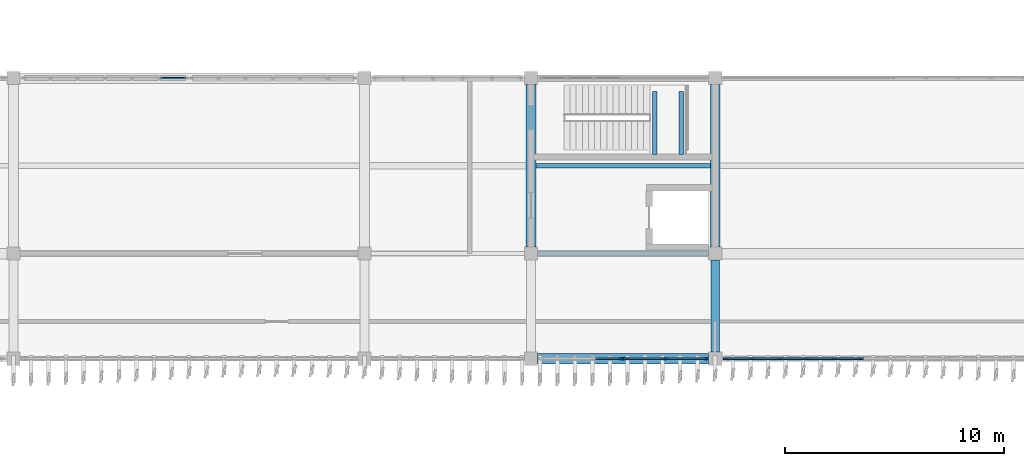
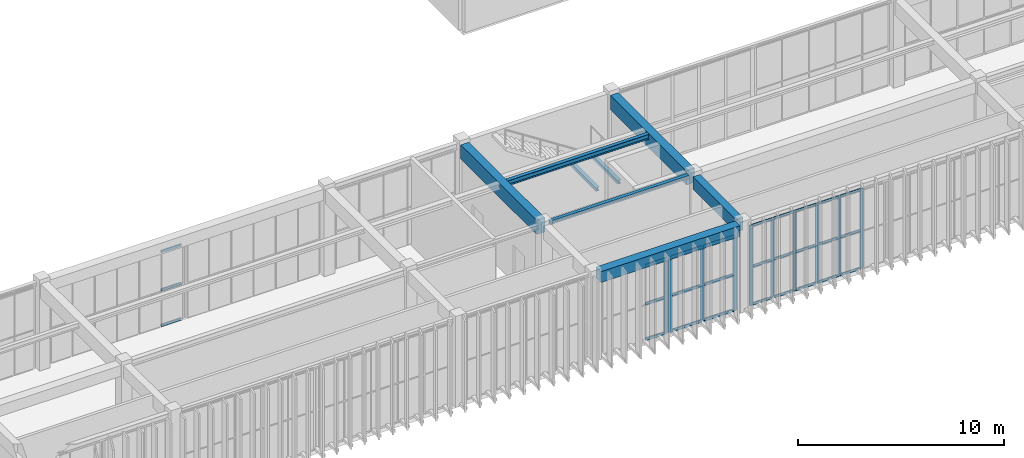
# One storey, part 13 of 64: 37 members, 8 beams, 4 elements without a shape of their own.
"""IFC4 building model written with IfcOpenShell, lengths in metres."""

from ifc_helpers import new_model, si_unit, direction, frame, origin, origin_2d, place, context, subcontext, project, spatial, rectangle, i_section, extrude, material, layer, layer_set, material_profile, profile_set, type_object, element, aggregate, save


model = new_model("IFC4")

# Units and contexts
model_context = context("Model", 3, precision=1e-05, world=origin(), true_north=direction((0.0, 1.0)))
body_context = subcontext(model_context, "Body", "Model", "MODEL_VIEW")
ifc_project = project(units=[si_unit("LENGTHUNIT", "METRE"), si_unit("AREAUNIT", "SQUARE_METRE"), si_unit("VOLUMEUNIT", "CUBIC_METRE"), si_unit("PLANEANGLEUNIT", "RADIAN"), si_unit("MASSUNIT", "GRAM", prefix="KILO")], contexts=[model_context])

# Site, building, storey
site_placement = place(None, origin())
site = spatial("IfcSite", under=ifc_project, at=site_placement, CompositionType="ELEMENT")
building_placement = place(site_placement, origin())
building = spatial("IfcBuilding", under=site, at=building_placement, Name="Cinchona Park Media Centre", CompositionType="ELEMENT")
storey_placement = place(building_placement, frame((0.0, 0.0, 10.199951171875)))
storey = spatial("IfcBuildingStorey", under=building, at=storey_placement, Name="L02", CompositionType="ELEMENT", Elevation=10.199951171875)

# Beams
ifc_material_1 = material(Name="Concrete C35/45", Category="concrete")
ifc_material_profile_1 = material_profile(ifc_material_1, rectangle(XDim=0.39990234375, YDim=0.75, at=origin_2d()), Name="RB 400X750")
ifc_profile_set_1 = profile_set([ifc_material_profile_1], Name="Concrete C35/45")
beam_type_1 = type_object("IfcBeamType", Name="BEAM-B01-RB400X750", PredefinedType="BEAM", material=ifc_profile_set_1)
beam_1_placement = place(storey_placement, frame((94.800048828125, 75.10009765625, 4.78515625), z_axis=(0.0, 1.0, 0.0), x_axis=(-1.0, 0.0, 0.0)))
element("IfcBeam", 1, at=beam_1_placement, inside=storey, type_object=beam_type_1, Name="Girder B01 L02", PredefinedType="BEAM", context=body_context, shape_type="SweptSolid", body=[
    extrude(rectangle(XDim=0.39990234375, YDim=0.75, at=origin_2d()), origin(), (0.0, 0.0, 1.0), 4.199951171875),
])
ifc_material_2 = material(Name="Concrete C35/45", Category="concrete")
ifc_material_profile_2 = material_profile(ifc_material_2, rectangle(XDim=0.449951171875, YDim=0.85009765625, at=origin_2d()), Name="RB 450X850")
ifc_profile_set_2 = profile_set([ifc_material_profile_2], Name="Concrete C35/45")
beam_type_2 = type_object("IfcBeamType", Name="BEAM-B02-RB450X850", PredefinedType="BEAM", material=ifc_profile_set_2)
for number, where, z_axis, x_axis, name in (
    (2, (86.39990234375, 79.89990234375, 4.735107421875), (0.0, 1.0, 0.0), (-1.0, 0.0, 0.0), "Girder B02 L02"),
    (3, (94.800048828125, 79.89990234375, 4.735107421875), (0.0, 1.0, 0.0), (-1.0, 0.0, 0.0), "Girder B02 L02"),
):
    element("IfcBeam", number, at=place(storey_placement, frame(where, z_axis=z_axis, x_axis=x_axis)), inside=storey, type_object=beam_type_2, Name=name, PredefinedType="BEAM", context=body_context, shape_type="SweptSolid", body=[
        extrude(rectangle(XDim=0.449951171875, YDim=0.85009765625, at=origin_2d()), origin(), (0.0, 0.0, 1.0), 7.400146484375),
    ])
ifc_material_3 = material(Name="Concrete C40/50", Category="concrete")
ifc_material_profile_3 = material_profile(ifc_material_3, rectangle(XDim=0.47998046875, YDim=0.64990234375, at=origin_2d()), Name="RB 480X650")
ifc_profile_set_3 = profile_set([ifc_material_profile_3], Name="Concrete C40/50")
beam_type_3 = type_object("IfcBeamType", Name="BEAM-B07-RB480X650", PredefinedType="BEAM", material=ifc_profile_set_3)
beam_2_placement = place(storey_placement, frame((86.699951171875, 74.800048828125, 4.8349609375), z_axis=(1.0, 0.0, 0.0), x_axis=(0.0, 1.0, 0.0)))
element("IfcBeam", 4, at=beam_2_placement, inside=storey, type_object=beam_type_3, Name="Beam B07 L02", PredefinedType="BEAM", context=body_context, shape_type="SweptSolid", body=[
    extrude(rectangle(XDim=0.47998046875, YDim=0.64990234375, at=origin_2d()), origin(), (0.0, 0.0, 1.0), 7.800048828125),
])
ifc_material_4 = material(Name="Steel S355", Category="steel")
ifc_material_profile_4 = material_profile(ifc_material_4, i_section(OverallWidth=0.202880859375, OverallDepth=0.202880859375, WebThickness=0.007080078125, FlangeThickness=0.010986328125, at=origin_2d()), Name="W200X46")
ifc_profile_set_4 = profile_set([ifc_material_profile_4], Name="Steel S355")
beam_type_4 = type_object("IfcBeamType", Name="BEAM-B10-W200X46", PredefinedType="BEAM", material=ifc_profile_set_4)
beam_3_placement = place(storey_placement, frame((86.699951171875, 79.60009765625, 5.05859375), z_axis=(1.0, 0.0, 0.0), x_axis=(0.0, 1.0, 0.0)))
element("IfcBeam", 5, at=beam_3_placement, inside=storey, type_object=beam_type_4, Name="Beam B10 L02", PredefinedType="BEAM", context=body_context, shape_type="SweptSolid", body=[
    extrude(i_section(OverallWidth=0.202880859375, OverallDepth=0.202880859375, WebThickness=0.007080078125, FlangeThickness=0.010986328125, at=origin_2d()), origin(), (0.0, 0.0, 1.0), 7.800048828125),
])
for number, where, z_axis, x_axis, name in (
    (6, (92.0400390625, 84.125, 2.3935546875), (0.0, 1.0, 0.0), (-1.0, 0.0, 0.0), "Stair Landing Bearer Beam B10 ST5 L02"),
    (7, (93.260009765625, 84.125, 2.3935546875), (0.0, 1.0, 0.0), (-1.0, 0.0, 0.0), "Stair Landing Bearer Beam B10 ST5 L02"),
):
    element("IfcBeam", number, at=place(storey_placement, frame(where, z_axis=z_axis, x_axis=x_axis)), inside=storey, type_object=beam_type_4, Name=name, PredefinedType="BEAM", context=body_context, shape_type="SweptSolid", body=[
        extrude(i_section(OverallWidth=0.202880859375, OverallDepth=0.202880859375, WebThickness=0.007080078125, FlangeThickness=0.010986328125, at=origin_2d()), origin(), (0.0, 0.0, 1.0), 2.875),
    ])
ifc_material_5 = material(Name="Steel S355", Category="steel")
ifc_material_profile_5 = material_profile(ifc_material_5, i_section(OverallWidth=0.202880859375, OverallDepth=0.302978515625, WebThickness=0.007568359375, FlangeThickness=0.01318359375, at=origin_2d()), Name="W310X60")
ifc_profile_set_5 = profile_set([ifc_material_profile_5], Name="Steel S355")
beam_type_5 = type_object("IfcBeamType", Name="BEAM-J03-W310X60", PredefinedType="JOIST", material=ifc_profile_set_5)
beam_4_placement = place(storey_placement, frame((86.625, 83.60009765625, 5.008544921875), z_axis=(1.0, 0.0, 0.0), x_axis=(0.0, 1.0, 0.0)))
element("IfcBeam", 8, at=beam_4_placement, inside=storey, type_object=beam_type_5, Name="Floor Joist J03 L02", PredefinedType="JOIST", context=body_context, shape_type="SweptSolid", body=[
    extrude(i_section(OverallWidth=0.202880859375, OverallDepth=0.302978515625, WebThickness=0.007568359375, FlangeThickness=0.01318359375, at=origin_2d()), origin(), (0.0, 0.0, 1.0), 7.949951171875),
])

# Curtain wall, members
ifc_material_6 = material(Name="Aluminium Curtain Wall Framing", Category="aluminium")
ifc_layer_1 = layer(ifc_material_6, 0.2099609375)
ifc_layer_set_1 = layer_set([ifc_layer_1], Name="Aluminium Curtain Wall Framing")
curtain_wall_type_1 = type_object("IfcCurtainWallType", Name="CW-CW03", PredefinedType="USERDEFINED", material=ifc_layer_set_1)
curtain_wall_1_placement = place(storey_placement, origin())
curtain_wall_1 = element("IfcCurtainWall", 9, at=curtain_wall_1_placement, inside=storey, type_object=curtain_wall_type_1, Name="Curtain Wall CW03 L02", ObjectType="UNITISED CURTAIN WALL", PredefinedType="USERDEFINED")
ifc_material_7 = material(Name="Anodised Aluminium Alloy 6063-T6", Category="aluminium")
ifc_material_profile_6 = material_profile(ifc_material_7, rectangle(XDim=0.070068359375, YDim=0.179931640625, at=origin_2d()), Name="MUL-70X180")
ifc_profile_set_6 = profile_set([ifc_material_profile_6], Name="Anodised Aluminium Alloy 6063-T6")
member_type_1 = type_object("IfcMemberType", Name="MULLION-MUL02", PredefinedType="MULLION", material=ifc_profile_set_6)
member_1_placement = place(storey_placement, frame((101.469970703125, 74.800048828125, 0.050048828125), z_axis=(0.0, 0.0, 1.0), x_axis=(0.0, -1.0, 0.0)))
member_1 = element("IfcMember", 10, at=member_1_placement, type_object=member_type_1, Name="CW03 mullion 2", PredefinedType="MULLION", context=body_context, shape_type="SweptSolid", body=[
    extrude(rectangle(XDim=0.070068359375, YDim=0.179931640625, at=origin_2d()), origin(), (0.0, 0.0, 1.0), 4.7470703125),
])
member_2_placement = place(storey_placement, frame((100.219970703125, 74.800048828125, 0.050048828125), z_axis=(0.0, 0.0, 1.0), x_axis=(0.0, -1.0, 0.0)))
member_2 = element("IfcMember", 11, at=member_2_placement, type_object=member_type_1, Name="CW03 mullion 3", PredefinedType="MULLION", context=body_context, shape_type="SweptSolid", body=[
    extrude(rectangle(XDim=0.070068359375, YDim=0.179931640625, at=origin_2d()), origin(), (0.0, 0.0, 1.0), 4.7470703125),
])
member_3_placement = place(storey_placement, frame((98.969970703125, 74.800048828125, 0.050048828125), z_axis=(0.0, 0.0, 1.0), x_axis=(0.0, -1.0, 0.0)))
member_3 = element("IfcMember", 12, at=member_3_placement, type_object=member_type_1, Name="CW03 mullion 4", PredefinedType="MULLION", context=body_context, shape_type="SweptSolid", body=[
    extrude(rectangle(XDim=0.070068359375, YDim=0.179931640625, at=origin_2d()), origin(), (0.0, 0.0, 1.0), 4.7470703125),
])
member_4_placement = place(storey_placement, frame((97.719970703125, 74.800048828125, 0.050048828125), z_axis=(0.0, 0.0, 1.0), x_axis=(0.0, -1.0, 0.0)))
member_4 = element("IfcMember", 13, at=member_4_placement, type_object=member_type_1, Name="CW03 mullion 5", PredefinedType="MULLION", context=body_context, shape_type="SweptSolid", body=[
    extrude(rectangle(XDim=0.070068359375, YDim=0.179931640625, at=origin_2d()), origin(), (0.0, 0.0, 1.0), 4.7470703125),
])
member_5_placement = place(storey_placement, frame((96.469970703125, 74.800048828125, 0.050048828125), z_axis=(0.0, 0.0, 1.0), x_axis=(0.0, -1.0, 0.0)))
member_5 = element("IfcMember", 14, at=member_5_placement, type_object=member_type_1, Name="CW03 mullion 6", PredefinedType="MULLION", context=body_context, shape_type="SweptSolid", body=[
    extrude(rectangle(XDim=0.070068359375, YDim=0.179931640625, at=origin_2d()), origin(), (0.0, 0.0, 1.0), 4.7470703125),
])
member_6_placement = place(storey_placement, frame((95.2548828125, 74.800048828125, 0.050048828125), z_axis=(0.0, 0.0, 1.0), x_axis=(0.0, -1.0, 0.0)))
member_6 = element("IfcMember", 15, at=member_6_placement, type_object=member_type_1, Name="CW03 mullion 7", PredefinedType="MULLION", context=body_context, shape_type="SweptSolid", body=[
    extrude(rectangle(XDim=0.070068359375, YDim=0.179931640625, at=origin_2d()), origin(), (0.0, 0.0, 1.0), 4.7470703125),
])

ifc_material_8 = material(Name="Aluminium Curtain Wall Framing", Category="aluminium")
ifc_layer_2 = layer(ifc_material_8, 0.300048828125)
ifc_layer_set_2 = layer_set([ifc_layer_2], Name="Aluminium Curtain Wall Framing")
curtain_wall_type_2 = type_object("IfcCurtainWallType", Name="CW-CW09", PredefinedType="USERDEFINED", material=ifc_layer_set_2)
curtain_wall_2_placement = place(storey_placement, origin())
curtain_wall_2 = element("IfcCurtainWall", 16, at=curtain_wall_2_placement, inside=storey, type_object=curtain_wall_type_2, Name="Curtain Wall CW09 L02", ObjectType="UNITISED CURTAIN WALL", PredefinedType="USERDEFINED")
ifc_material_9 = material(Name="Anodised Aluminium Alloy 6063-T6", Category="aluminium")
ifc_material_profile_7 = material_profile(ifc_material_9, rectangle(XDim=0.074951171875, YDim=0.2099609375, at=origin_2d()), Name="MUL-75X210")
ifc_profile_set_7 = profile_set([ifc_material_profile_7], Name="Anodised Aluminium Alloy 6063-T6")
member_type_2 = type_object("IfcMemberType", Name="MULLION-MUL03", PredefinedType="MULLION", material=ifc_profile_set_7)
member_7_placement = place(storey_placement, frame((94.342529296875, 74.800048828125, 0.050048828125), z_axis=(0.0, 0.0, 1.0), x_axis=(0.0, -1.0, 0.0)))
member_7 = element("IfcMember", 17, at=member_7_placement, type_object=member_type_2, Name="CW09 mullion 1", PredefinedType="MULLION", context=body_context, shape_type="SweptSolid", body=[
    extrude(rectangle(XDim=0.074951171875, YDim=0.2099609375, at=origin_2d()), origin(), (0.0, 0.0, 1.0), 4.4599609375),
])
member_8_placement = place(storey_placement, frame((92.530029296875, 74.800048828125, 0.050048828125), z_axis=(0.0, 0.0, 1.0), x_axis=(0.0, -1.0, 0.0)))
member_8 = element("IfcMember", 18, at=member_8_placement, type_object=member_type_2, Name="CW09 mullion 2", PredefinedType="MULLION", context=body_context, shape_type="SweptSolid", body=[
    extrude(rectangle(XDim=0.074951171875, YDim=0.2099609375, at=origin_2d()), origin(), (0.0, 0.0, 1.0), 4.4599609375),
])
member_9_placement = place(storey_placement, frame((90.717529296875, 74.800048828125, 0.050048828125), z_axis=(0.0, 0.0, 1.0), x_axis=(0.0, -1.0, 0.0)))
member_9 = element("IfcMember", 19, at=member_9_placement, type_object=member_type_2, Name="CW09 mullion 3", PredefinedType="MULLION", context=body_context, shape_type="SweptSolid", body=[
    extrude(rectangle(XDim=0.074951171875, YDim=0.2099609375, at=origin_2d()), origin(), (0.0, 0.0, 1.0), 4.4599609375),
])

# Curtain wall, member
ifc_material_10 = material(Name="Aluminium Curtain Wall Framing", Category="aluminium")
ifc_layer_3 = layer(ifc_material_10, 0.179931640625)
ifc_layer_set_3 = layer_set([ifc_layer_3], Name="Aluminium Curtain Wall Framing")
curtain_wall_type_3 = type_object("IfcCurtainWallType", Name="CW-CW01", PredefinedType="USERDEFINED", material=ifc_layer_set_3)
curtain_wall_3_placement = place(storey_placement, origin())
curtain_wall_3 = element("IfcCurtainWall", 20, at=curtain_wall_3_placement, inside=storey, type_object=curtain_wall_type_3, Name="Curtain Wall CW01 L02", ObjectType="UNITISED CURTAIN WALL", PredefinedType="USERDEFINED")
member_10_placement = place(storey_placement, frame((90.482421875, 74.800048828125, 0.050048828125), z_axis=(0.0, 0.0, 1.0), x_axis=(0.0, -1.0, 0.0)))
member_10 = element("IfcMember", 21, at=member_10_placement, type_object=member_type_2, Name="CW01 mullion 1", PredefinedType="MULLION", context=body_context, shape_type="SweptSolid", body=[
    extrude(rectangle(XDim=0.074951171875, YDim=0.2099609375, at=origin_2d()), origin(), (0.0, 0.0, 1.0), 4.4599609375),
])

# Curtain wall, members
ifc_material_11 = material(Name="Aluminium Curtain Wall Framing", Category="aluminium")
ifc_layer_4 = layer(ifc_material_11, 0.195068359375)
ifc_layer_set_4 = layer_set([ifc_layer_4], Name="Aluminium Curtain Wall Framing")
curtain_wall_type_4 = type_object("IfcCurtainWallType", Name="CW-CW02", PredefinedType="USERDEFINED", material=ifc_layer_set_4)
curtain_wall_4_placement = place(storey_placement, origin())
curtain_wall_4 = element("IfcCurtainWall", 22, at=curtain_wall_4_placement, inside=storey, type_object=curtain_wall_type_4, Name="Curtain Wall CW02 L02", ObjectType="UNITISED CURTAIN WALL", PredefinedType="USERDEFINED")
ifc_material_12 = material(Name="Anodised Aluminium Alloy 6063-T6", Category="aluminium")
ifc_material_profile_8 = material_profile(ifc_material_12, rectangle(XDim=0.070068359375, YDim=0.139892578125, at=origin_2d()), Name="TRN-70X140")
ifc_profile_set_8 = profile_set([ifc_material_profile_8], Name="Anodised Aluminium Alloy 6063-T6")
member_type_3 = type_object("IfcMemberType", Name="TRANSOM-TRN02", PredefinedType="USERDEFINED", material=ifc_profile_set_8)
member_11_placement = place(storey_placement, frame((69.5048828125, 87.60009765625, 0.0849609375), z_axis=(1.0, 0.0, 0.0), x_axis=(0.0, 1.0, 0.0)))
member_11 = element("IfcMember", 23, at=member_11_placement, type_object=member_type_3, Name="CW02 transom 6.1", ObjectType="TRANSOM", PredefinedType="USERDEFINED", context=body_context, shape_type="SweptSolid", body=[
    extrude(rectangle(XDim=0.070068359375, YDim=0.139892578125, at=origin_2d()), origin(), (0.0, 0.0, 1.0), 1.14501953125),
])
member_12_placement = place(storey_placement, frame((69.5048828125, 87.60009765625, 2.191162109375), z_axis=(1.0, 0.0, 0.0), x_axis=(0.0, 1.0, 0.0)))
member_12 = element("IfcMember", 24, at=member_12_placement, type_object=member_type_3, Name="CW02 transom 6.2", ObjectType="TRANSOM", PredefinedType="USERDEFINED", context=body_context, shape_type="SweptSolid", body=[
    extrude(rectangle(XDim=0.070068359375, YDim=0.139892578125, at=origin_2d()), origin(), (0.0, 0.0, 1.0), 1.14501953125),
])
member_13_placement = place(storey_placement, frame((69.5048828125, 87.60009765625, 4.47509765625), z_axis=(1.0, 0.0, 0.0), x_axis=(0.0, 1.0, 0.0)))
member_13 = element("IfcMember", 25, at=member_13_placement, type_object=member_type_3, Name="CW02 transom 6.3", ObjectType="TRANSOM", PredefinedType="USERDEFINED", context=body_context, shape_type="SweptSolid", body=[
    extrude(rectangle(XDim=0.070068359375, YDim=0.139892578125, at=origin_2d()), origin(), (0.0, 0.0, 1.0), 1.14501953125),
])
aggregate(curtain_wall_4, [member_11, member_12, member_13])

# Member
member_14_placement = place(storey_placement, frame((101.43505859375, 74.800048828125, 0.0849609375), z_axis=(-1.0, 0.0, 0.0), x_axis=(0.0, -1.0, 0.0)))
member_14 = element("IfcMember", 26, at=member_14_placement, type_object=member_type_3, Name="CW03 transom 2.1", ObjectType="TRANSOM", PredefinedType="USERDEFINED", context=body_context, shape_type="SweptSolid", body=[
    extrude(rectangle(XDim=0.070068359375, YDim=0.139892578125, at=origin_2d()), origin(), (0.0, 0.0, 1.0), 1.18017578125),
])

member_15_placement = place(storey_placement, frame((101.43505859375, 74.800048828125, 2.3291015625), z_axis=(-1.0, 0.0, 0.0), x_axis=(0.0, -1.0, 0.0)))
member_15 = element("IfcMember", 27, at=member_15_placement, type_object=member_type_3, Name="CW03 transom 2.2", ObjectType="TRANSOM", PredefinedType="USERDEFINED", context=body_context, shape_type="SweptSolid", body=[
    extrude(rectangle(XDim=0.070068359375, YDim=0.139892578125, at=origin_2d()), origin(), (0.0, 0.0, 1.0), 1.18017578125),
])

member_16_placement = place(storey_placement, frame((101.43505859375, 74.800048828125, 4.761962890625), z_axis=(-1.0, 0.0, 0.0), x_axis=(0.0, -1.0, 0.0)))
member_16 = element("IfcMember", 28, at=member_16_placement, type_object=member_type_3, Name="CW03 transom 2.3", ObjectType="TRANSOM", PredefinedType="USERDEFINED", context=body_context, shape_type="SweptSolid", body=[
    extrude(rectangle(XDim=0.070068359375, YDim=0.139892578125, at=origin_2d()), origin(), (0.0, 0.0, 1.0), 1.18017578125),
])

member_17_placement = place(storey_placement, frame((100.18505859375, 74.800048828125, 0.0849609375), z_axis=(-1.0, 0.0, 0.0), x_axis=(0.0, -1.0, 0.0)))
member_17 = element("IfcMember", 29, at=member_17_placement, type_object=member_type_3, Name="CW03 transom 3.1", ObjectType="TRANSOM", PredefinedType="USERDEFINED", context=body_context, shape_type="SweptSolid", body=[
    extrude(rectangle(XDim=0.070068359375, YDim=0.139892578125, at=origin_2d()), origin(), (0.0, 0.0, 1.0), 1.18017578125),
])

member_18_placement = place(storey_placement, frame((100.18505859375, 74.800048828125, 2.3291015625), z_axis=(-1.0, 0.0, 0.0), x_axis=(0.0, -1.0, 0.0)))
member_18 = element("IfcMember", 30, at=member_18_placement, type_object=member_type_3, Name="CW03 transom 3.2", ObjectType="TRANSOM", PredefinedType="USERDEFINED", context=body_context, shape_type="SweptSolid", body=[
    extrude(rectangle(XDim=0.070068359375, YDim=0.139892578125, at=origin_2d()), origin(), (0.0, 0.0, 1.0), 1.18017578125),
])

member_19_placement = place(storey_placement, frame((100.18505859375, 74.800048828125, 4.761962890625), z_axis=(-1.0, 0.0, 0.0), x_axis=(0.0, -1.0, 0.0)))
member_19 = element("IfcMember", 31, at=member_19_placement, type_object=member_type_3, Name="CW03 transom 3.3", ObjectType="TRANSOM", PredefinedType="USERDEFINED", context=body_context, shape_type="SweptSolid", body=[
    extrude(rectangle(XDim=0.070068359375, YDim=0.139892578125, at=origin_2d()), origin(), (0.0, 0.0, 1.0), 1.18017578125),
])

member_20_placement = place(storey_placement, frame((98.93505859375, 74.800048828125, 0.0849609375), z_axis=(-1.0, 0.0, 0.0), x_axis=(0.0, -1.0, 0.0)))
member_20 = element("IfcMember", 32, at=member_20_placement, type_object=member_type_3, Name="CW03 transom 4.1", ObjectType="TRANSOM", PredefinedType="USERDEFINED", context=body_context, shape_type="SweptSolid", body=[
    extrude(rectangle(XDim=0.070068359375, YDim=0.139892578125, at=origin_2d()), origin(), (0.0, 0.0, 1.0), 1.18017578125),
])

member_21_placement = place(storey_placement, frame((98.93505859375, 74.800048828125, 2.3291015625), z_axis=(-1.0, 0.0, 0.0), x_axis=(0.0, -1.0, 0.0)))
member_21 = element("IfcMember", 33, at=member_21_placement, type_object=member_type_3, Name="CW03 transom 4.2", ObjectType="TRANSOM", PredefinedType="USERDEFINED", context=body_context, shape_type="SweptSolid", body=[
    extrude(rectangle(XDim=0.070068359375, YDim=0.139892578125, at=origin_2d()), origin(), (0.0, 0.0, 1.0), 1.18017578125),
])

member_22_placement = place(storey_placement, frame((98.93505859375, 74.800048828125, 4.761962890625), z_axis=(-1.0, 0.0, 0.0), x_axis=(0.0, -1.0, 0.0)))
member_22 = element("IfcMember", 34, at=member_22_placement, type_object=member_type_3, Name="CW03 transom 4.3", ObjectType="TRANSOM", PredefinedType="USERDEFINED", context=body_context, shape_type="SweptSolid", body=[
    extrude(rectangle(XDim=0.070068359375, YDim=0.139892578125, at=origin_2d()), origin(), (0.0, 0.0, 1.0), 1.18017578125),
])

member_23_placement = place(storey_placement, frame((97.68505859375, 74.800048828125, 0.0849609375), z_axis=(-1.0, 0.0, 0.0), x_axis=(0.0, -1.0, 0.0)))
member_23 = element("IfcMember", 35, at=member_23_placement, type_object=member_type_3, Name="CW03 transom 5.1", ObjectType="TRANSOM", PredefinedType="USERDEFINED", context=body_context, shape_type="SweptSolid", body=[
    extrude(rectangle(XDim=0.070068359375, YDim=0.139892578125, at=origin_2d()), origin(), (0.0, 0.0, 1.0), 1.18017578125),
])

member_24_placement = place(storey_placement, frame((97.68505859375, 74.800048828125, 2.3291015625), z_axis=(-1.0, 0.0, 0.0), x_axis=(0.0, -1.0, 0.0)))
member_24 = element("IfcMember", 36, at=member_24_placement, type_object=member_type_3, Name="CW03 transom 5.2", ObjectType="TRANSOM", PredefinedType="USERDEFINED", context=body_context, shape_type="SweptSolid", body=[
    extrude(rectangle(XDim=0.070068359375, YDim=0.139892578125, at=origin_2d()), origin(), (0.0, 0.0, 1.0), 1.18017578125),
])

member_25_placement = place(storey_placement, frame((97.68505859375, 74.800048828125, 4.761962890625), z_axis=(-1.0, 0.0, 0.0), x_axis=(0.0, -1.0, 0.0)))
member_25 = element("IfcMember", 37, at=member_25_placement, type_object=member_type_3, Name="CW03 transom 5.3", ObjectType="TRANSOM", PredefinedType="USERDEFINED", context=body_context, shape_type="SweptSolid", body=[
    extrude(rectangle(XDim=0.070068359375, YDim=0.139892578125, at=origin_2d()), origin(), (0.0, 0.0, 1.0), 1.18017578125),
])

member_26_placement = place(storey_placement, frame((96.43505859375, 74.800048828125, 0.0849609375), z_axis=(-1.0, 0.0, 0.0), x_axis=(0.0, -1.0, 0.0)))
member_26 = element("IfcMember", 38, at=member_26_placement, type_object=member_type_3, Name="CW03 transom 6.1", ObjectType="TRANSOM", PredefinedType="USERDEFINED", context=body_context, shape_type="SweptSolid", body=[
    extrude(rectangle(XDim=0.070068359375, YDim=0.139892578125, at=origin_2d()), origin(), (0.0, 0.0, 1.0), 1.14501953125),
])

member_27_placement = place(storey_placement, frame((96.43505859375, 74.800048828125, 2.3291015625), z_axis=(-1.0, 0.0, 0.0), x_axis=(0.0, -1.0, 0.0)))
member_27 = element("IfcMember", 39, at=member_27_placement, type_object=member_type_3, Name="CW03 transom 6.2", ObjectType="TRANSOM", PredefinedType="USERDEFINED", context=body_context, shape_type="SweptSolid", body=[
    extrude(rectangle(XDim=0.070068359375, YDim=0.139892578125, at=origin_2d()), origin(), (0.0, 0.0, 1.0), 1.14501953125),
])

member_28_placement = place(storey_placement, frame((96.43505859375, 74.800048828125, 4.761962890625), z_axis=(-1.0, 0.0, 0.0), x_axis=(0.0, -1.0, 0.0)))
member_28 = element("IfcMember", 40, at=member_28_placement, type_object=member_type_3, Name="CW03 transom 6.3", ObjectType="TRANSOM", PredefinedType="USERDEFINED", context=body_context, shape_type="SweptSolid", body=[
    extrude(rectangle(XDim=0.070068359375, YDim=0.139892578125, at=origin_2d()), origin(), (0.0, 0.0, 1.0), 1.14501953125),
])

aggregate(curtain_wall_1, [member_1, member_2, member_3, member_4, member_5, member_6, member_14, member_15, member_16, member_17, member_18, member_19, member_20, member_21, member_22, member_23, member_24, member_25, member_26, member_27, member_28])

ifc_material_13 = material(Name="Anodised Aluminium Alloy 6063-T6", Category="aluminium")
ifc_material_profile_9 = material_profile(ifc_material_13, rectangle(XDim=0.074951171875, YDim=0.159912109375, at=origin_2d()), Name="TRN-75X160")
ifc_profile_set_9 = profile_set([ifc_material_profile_9], Name="Anodised Aluminium Alloy 6063-T6")
member_type_4 = type_object("IfcMemberType", Name="TRANSOM-TRN03", PredefinedType="USERDEFINED", material=ifc_profile_set_9)
member_29_placement = place(storey_placement, frame((94.304931640625, 74.800048828125, 0.087646484375), z_axis=(-1.0, 0.0, 0.0), x_axis=(0.0, -1.0, 0.0)))
member_29 = element("IfcMember", 41, at=member_29_placement, type_object=member_type_4, Name="CW09 transom 1.1", ObjectType="TRANSOM", PredefinedType="USERDEFINED", context=body_context, shape_type="SweptSolid", body=[
    extrude(rectangle(XDim=0.074951171875, YDim=0.159912109375, at=origin_2d()), origin(), (0.0, 0.0, 1.0), 1.737548828125),
])

member_30_placement = place(storey_placement, frame((94.304931640625, 74.800048828125, 2.191162109375), z_axis=(-1.0, 0.0, 0.0), x_axis=(0.0, -1.0, 0.0)))
member_30 = element("IfcMember", 42, at=member_30_placement, type_object=member_type_4, Name="CW09 transom 1.2", ObjectType="TRANSOM", PredefinedType="USERDEFINED", context=body_context, shape_type="SweptSolid", body=[
    extrude(rectangle(XDim=0.074951171875, YDim=0.159912109375, at=origin_2d()), origin(), (0.0, 0.0, 1.0), 1.737548828125),
])

member_31_placement = place(storey_placement, frame((94.304931640625, 74.800048828125, 4.47265625), z_axis=(-1.0, 0.0, 0.0), x_axis=(0.0, -1.0, 0.0)))
member_31 = element("IfcMember", 43, at=member_31_placement, type_object=member_type_4, Name="CW09 transom 1.3", ObjectType="TRANSOM", PredefinedType="USERDEFINED", context=body_context, shape_type="SweptSolid", body=[
    extrude(rectangle(XDim=0.074951171875, YDim=0.159912109375, at=origin_2d()), origin(), (0.0, 0.0, 1.0), 1.737548828125),
])

member_32_placement = place(storey_placement, frame((92.492431640625, 74.800048828125, 0.087646484375), z_axis=(-1.0, 0.0, 0.0), x_axis=(0.0, -1.0, 0.0)))
member_32 = element("IfcMember", 44, at=member_32_placement, type_object=member_type_4, Name="CW09 transom 2.1", ObjectType="TRANSOM", PredefinedType="USERDEFINED", context=body_context, shape_type="SweptSolid", body=[
    extrude(rectangle(XDim=0.074951171875, YDim=0.159912109375, at=origin_2d()), origin(), (0.0, 0.0, 1.0), 1.737548828125),
])

member_33_placement = place(storey_placement, frame((92.492431640625, 74.800048828125, 2.191162109375), z_axis=(-1.0, 0.0, 0.0), x_axis=(0.0, -1.0, 0.0)))
member_33 = element("IfcMember", 45, at=member_33_placement, type_object=member_type_4, Name="CW09 transom 2.2", ObjectType="TRANSOM", PredefinedType="USERDEFINED", context=body_context, shape_type="SweptSolid", body=[
    extrude(rectangle(XDim=0.074951171875, YDim=0.159912109375, at=origin_2d()), origin(), (0.0, 0.0, 1.0), 1.737548828125),
])

member_34_placement = place(storey_placement, frame((92.492431640625, 74.800048828125, 4.47265625), z_axis=(-1.0, 0.0, 0.0), x_axis=(0.0, -1.0, 0.0)))
member_34 = element("IfcMember", 46, at=member_34_placement, type_object=member_type_4, Name="CW09 transom 2.3", ObjectType="TRANSOM", PredefinedType="USERDEFINED", context=body_context, shape_type="SweptSolid", body=[
    extrude(rectangle(XDim=0.074951171875, YDim=0.159912109375, at=origin_2d()), origin(), (0.0, 0.0, 1.0), 1.737548828125),
])

aggregate(curtain_wall_2, [member_7, member_8, member_9, member_29, member_30, member_31, member_32, member_33, member_34])

member_35_placement = place(storey_placement, frame((90.445068359375, 74.800048828125, 0.087646484375), z_axis=(-1.0, 0.0, 0.0), x_axis=(0.0, -1.0, 0.0)))
member_35 = element("IfcMember", 47, at=member_35_placement, type_object=member_type_4, Name="CW01 transom 1.1", ObjectType="TRANSOM", PredefinedType="USERDEFINED", context=body_context, shape_type="SweptSolid", body=[
    extrude(rectangle(XDim=0.074951171875, YDim=0.159912109375, at=origin_2d()), origin(), (0.0, 0.0, 1.0), 1.120849609375),
])

member_36_placement = place(storey_placement, frame((90.445068359375, 74.800048828125, 2.191162109375), z_axis=(-1.0, 0.0, 0.0), x_axis=(0.0, -1.0, 0.0)))
member_36 = element("IfcMember", 48, at=member_36_placement, type_object=member_type_4, Name="CW01 transom 1.2", ObjectType="TRANSOM", PredefinedType="USERDEFINED", context=body_context, shape_type="SweptSolid", body=[
    extrude(rectangle(XDim=0.074951171875, YDim=0.159912109375, at=origin_2d()), origin(), (0.0, 0.0, 1.0), 1.120849609375),
])

member_37_placement = place(storey_placement, frame((90.445068359375, 74.800048828125, 4.47265625), z_axis=(-1.0, 0.0, 0.0), x_axis=(0.0, -1.0, 0.0)))
member_37 = element("IfcMember", 49, at=member_37_placement, type_object=member_type_4, Name="CW01 transom 1.3", ObjectType="TRANSOM", PredefinedType="USERDEFINED", context=body_context, shape_type="SweptSolid", body=[
    extrude(rectangle(XDim=0.074951171875, YDim=0.159912109375, at=origin_2d()), origin(), (0.0, 0.0, 1.0), 1.120849609375),
])

aggregate(curtain_wall_3, [member_10, member_35, member_36, member_37])

save(model, "model.ifc")
